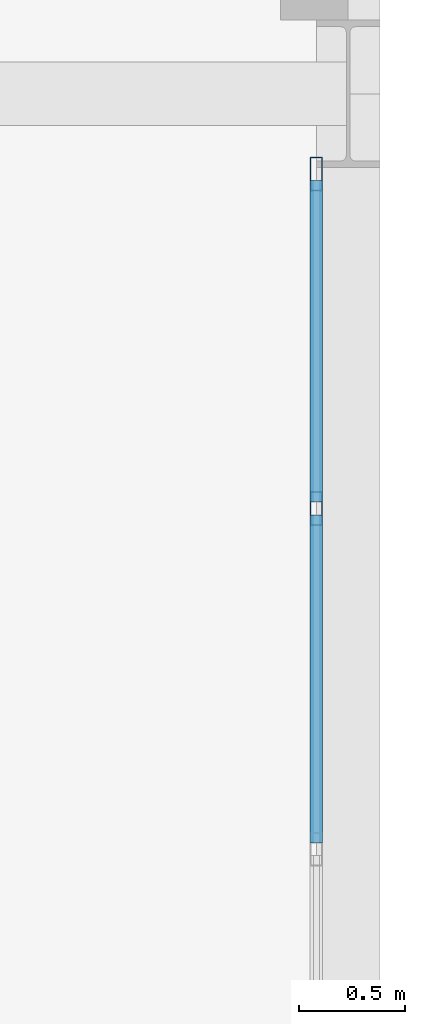
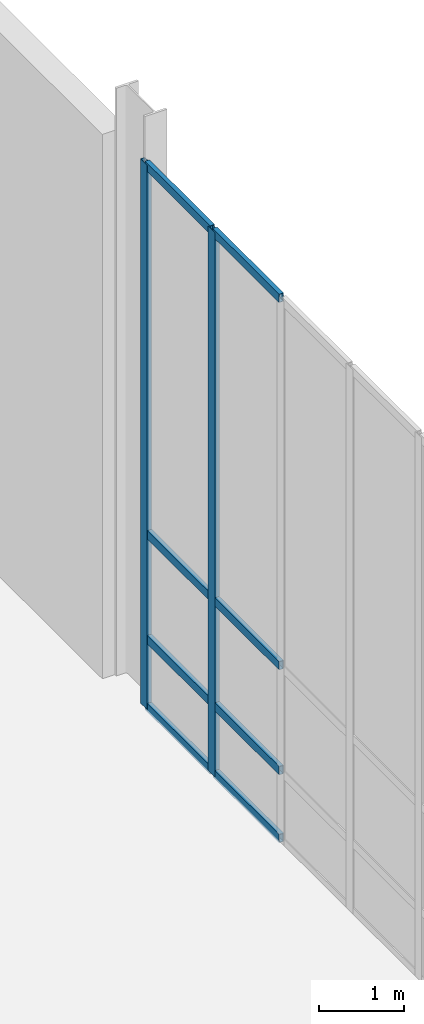
# One storey, part 98 of 131: 10 members, 1 element without a shape of its own.
"""IFC4 building model written with IfcOpenShell, lengths in metres."""

from ifc_helpers import new_model, si_unit, direction, frame, origin, origin_2d, place, context, subcontext, project, spatial, hollow_rectangle, extrude, material, material_profile, profile_set, type_object, element, aggregate, save


model = new_model("IFC4")

# Units and contexts
model_context = context("Model", 3, precision=1e-05, world=origin(), true_north=direction((0.0, 1.0)))
body_context = subcontext(model_context, "Body", "Model", "MODEL_VIEW")
ifc_project = project(units=[si_unit("LENGTHUNIT", "METRE"), si_unit("AREAUNIT", "SQUARE_METRE"), si_unit("VOLUMEUNIT", "CUBIC_METRE"), si_unit("PLANEANGLEUNIT", "RADIAN"), si_unit("MASSUNIT", "GRAM", prefix="KILO")], contexts=[model_context])

# Site, building, storey
site_placement = place(None, origin())
site = spatial("IfcSite", under=ifc_project, at=site_placement, CompositionType="ELEMENT")
building_placement = place(site_placement, origin())
building = spatial("IfcBuilding", under=site, at=building_placement, Name="Veltarok Museum of Natural Sciences", CompositionType="ELEMENT")
storey_placement = place(building_placement, origin())
storey = spatial("IfcBuildingStorey", under=building, at=storey_placement, Name="L00", CompositionType="ELEMENT", Elevation=0.0)

# Curtain wall, members
ifc_material_1 = material(Name="Low-iron triple insulated glass", Category="glass")
curtain_wall_type = type_object("IfcCurtainWallType", Name="Curtain Wall System CW-V5E-L00-E-1130x778 (V5 East Lab L00 E-F 1130x778cm)", PredefinedType="NOTDEFINED", material=ifc_material_1)
curtain_wall_placement = place(storey_placement, origin())
curtain_wall = element("IfcCurtainWall", 1, at=curtain_wall_placement, inside=storey, type_object=curtain_wall_type, Name="Curtain Wall CW-V5E-L00-E-1130x778 CW-0102", PredefinedType="NOTDEFINED")
ifc_material_2 = material(Name="Thermally broken anodised aluminium", Category="aluminium")
ifc_material_profile_1 = material_profile(ifc_material_2, hollow_rectangle(XDim=0.06005859375, YDim=0.1201171875, WallThickness=0.0048828125, at=origin_2d()), Name="CW TRANSOM 60x120x5")
ifc_profile_set_1 = profile_set([ifc_material_profile_1], Name="Thermally broken anodised aluminium")
member_type_1 = type_object("IfcMemberType", Name="Curtain Wall Horizontal Transom 60x120x5", PredefinedType="USERDEFINED", material=ifc_profile_set_1)
member_1_placement = place(storey_placement, frame((164.64990234375, 44.451416015625, 0.030029296875), z_axis=(0.0, 1.0, 0.0), x_axis=(-1.0, 0.0, 0.0)))
member_1 = element("IfcMember", 2, at=member_1_placement, type_object=member_type_1, Name="CW-V5E-L00-E-1130x778 transom 6.1", ObjectType="TRANSOM", PredefinedType="USERDEFINED", context=body_context, shape_type="SweptSolid", body=[
    extrude(hollow_rectangle(XDim=0.06005859375, YDim=0.1201171875, WallThickness=0.0048828125, at=origin_2d()), origin(), (0.0, 0.0, 1.0), 1.55419921875),
])
member_2_placement = place(storey_placement, frame((164.64990234375, 44.451416015625, 1.0), z_axis=(0.0, 1.0, 0.0), x_axis=(-1.0, 0.0, 0.0)))
member_2 = element("IfcMember", 3, at=member_2_placement, type_object=member_type_1, Name="CW-V5E-L00-E-1130x778 transom 6.2", ObjectType="TRANSOM", PredefinedType="USERDEFINED", context=body_context, shape_type="SweptSolid", body=[
    extrude(hollow_rectangle(XDim=0.06005859375, YDim=0.1201171875, WallThickness=0.0048828125, at=origin_2d()), origin(), (0.0, 0.0, 1.0), 1.55419921875),
])
member_3_placement = place(storey_placement, frame((164.64990234375, 44.451416015625, 2.5), z_axis=(0.0, 1.0, 0.0), x_axis=(-1.0, 0.0, 0.0)))
member_3 = element("IfcMember", 4, at=member_3_placement, type_object=member_type_1, Name="CW-V5E-L00-E-1130x778 transom 6.3", ObjectType="TRANSOM", PredefinedType="USERDEFINED", context=body_context, shape_type="SweptSolid", body=[
    extrude(hollow_rectangle(XDim=0.06005859375, YDim=0.1201171875, WallThickness=0.0048828125, at=origin_2d()), origin(), (0.0, 0.0, 1.0), 1.55419921875),
])
member_4_placement = place(storey_placement, frame((164.64990234375, 44.451416015625, 7.75), z_axis=(0.0, 1.0, 0.0), x_axis=(-1.0, 0.0, 0.0)))
member_4 = element("IfcMember", 5, at=member_4_placement, type_object=member_type_1, Name="CW-V5E-L00-E-1130x778 transom 6.4", ObjectType="TRANSOM", PredefinedType="USERDEFINED", context=body_context, shape_type="SweptSolid", body=[
    extrude(hollow_rectangle(XDim=0.06005859375, YDim=0.1201171875, WallThickness=0.0048828125, at=origin_2d()), origin(), (0.0, 0.0, 1.0), 1.55419921875),
])
member_5_placement = place(storey_placement, frame((164.64990234375, 46.065673828125, 0.030029296875), z_axis=(0.0, 1.0, 0.0), x_axis=(-1.0, 0.0, 0.0)))
member_5 = element("IfcMember", 6, at=member_5_placement, type_object=member_type_1, Name="CW-V5E-L00-E-1130x778 transom 7.1", ObjectType="TRANSOM", PredefinedType="USERDEFINED", context=body_context, shape_type="SweptSolid", body=[
    extrude(hollow_rectangle(XDim=0.06005859375, YDim=0.1201171875, WallThickness=0.0048828125, at=origin_2d()), origin(), (0.0, 0.0, 1.0), 1.5244140625),
])
member_6_placement = place(storey_placement, frame((164.64990234375, 46.065673828125, 1.0), z_axis=(0.0, 1.0, 0.0), x_axis=(-1.0, 0.0, 0.0)))
member_6 = element("IfcMember", 7, at=member_6_placement, type_object=member_type_1, Name="CW-V5E-L00-E-1130x778 transom 7.2", ObjectType="TRANSOM", PredefinedType="USERDEFINED", context=body_context, shape_type="SweptSolid", body=[
    extrude(hollow_rectangle(XDim=0.06005859375, YDim=0.1201171875, WallThickness=0.0048828125, at=origin_2d()), origin(), (0.0, 0.0, 1.0), 1.5244140625),
])
member_7_placement = place(storey_placement, frame((164.64990234375, 46.065673828125, 2.5), z_axis=(0.0, 1.0, 0.0), x_axis=(-1.0, 0.0, 0.0)))
member_7 = element("IfcMember", 8, at=member_7_placement, type_object=member_type_1, Name="CW-V5E-L00-E-1130x778 transom 7.3", ObjectType="TRANSOM", PredefinedType="USERDEFINED", context=body_context, shape_type="SweptSolid", body=[
    extrude(hollow_rectangle(XDim=0.06005859375, YDim=0.1201171875, WallThickness=0.0048828125, at=origin_2d()), origin(), (0.0, 0.0, 1.0), 1.5244140625),
])
member_8_placement = place(storey_placement, frame((164.64990234375, 46.065673828125, 7.75), z_axis=(0.0, 1.0, 0.0), x_axis=(-1.0, 0.0, 0.0)))
member_8 = element("IfcMember", 9, at=member_8_placement, type_object=member_type_1, Name="CW-V5E-L00-E-1130x778 transom 7.4", ObjectType="TRANSOM", PredefinedType="USERDEFINED", context=body_context, shape_type="SweptSolid", body=[
    extrude(hollow_rectangle(XDim=0.06005859375, YDim=0.1201171875, WallThickness=0.0048828125, at=origin_2d()), origin(), (0.0, 0.0, 1.0), 1.5244140625),
])
ifc_material_profile_2 = material_profile(ifc_material_2, hollow_rectangle(XDim=0.06005859375, YDim=0.159912109375, WallThickness=0.0048828125, at=origin_2d()), Name="CW MULLION 60x160x5")
ifc_profile_set_2 = profile_set([ifc_material_profile_2], Name="Thermally broken anodised aluminium")
member_type_2 = type_object("IfcMemberType", Name="Curtain Wall Vertical Mullion 60x160x5", PredefinedType="MULLION", material=ifc_profile_set_2)
member_9_placement = place(storey_placement, frame((164.64990234375, 46.03564453125, 0.0), z_axis=(0.0, 0.0, 1.0), x_axis=(-1.0, 0.0, 0.0)))
member_9 = element("IfcMember", 10, at=member_9_placement, type_object=member_type_2, Name="CW-V5E-L00-E-1130x778 mullion 7", PredefinedType="MULLION", context=body_context, shape_type="SweptSolid", body=[
    extrude(hollow_rectangle(XDim=0.06005859375, YDim=0.159912109375, WallThickness=0.0048828125, at=origin_2d()), origin(), (0.0, 0.0, 1.0), 7.780029296875),
])
member_10_placement = place(storey_placement, frame((164.64990234375, 47.6201171875, 0.0), z_axis=(0.0, 0.0, 1.0), x_axis=(-1.0, 0.0, 0.0)))
member_10 = element("IfcMember", 11, at=member_10_placement, type_object=member_type_2, Name="CW-V5E-L00-E-1130x778 mullion 8", PredefinedType="MULLION", context=body_context, shape_type="SweptSolid", body=[
    extrude(hollow_rectangle(XDim=0.06005859375, YDim=0.159912109375, WallThickness=0.0048828125, at=origin_2d()), origin(), (0.0, 0.0, 1.0), 7.780029296875),
])
aggregate(curtain_wall, [member_9, member_10, member_1, member_2, member_3, member_4, member_5, member_6, member_7, member_8])

save(model, "model.ifc")
